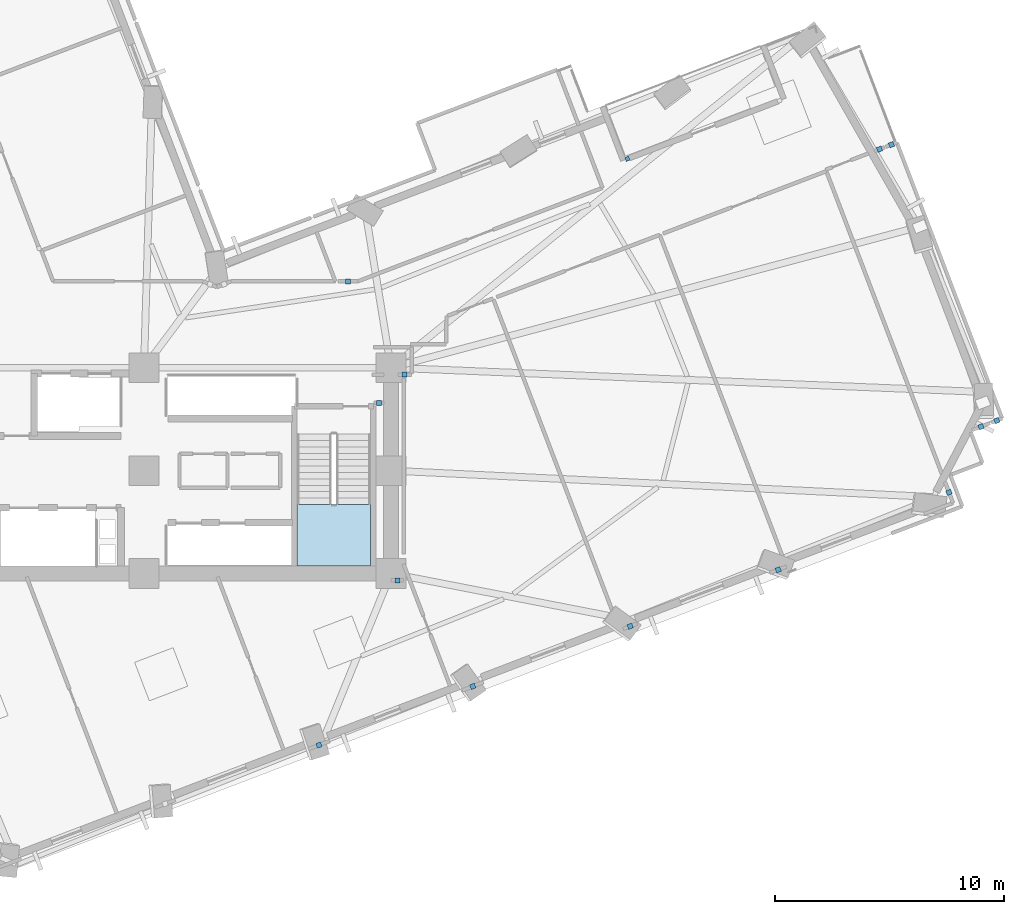
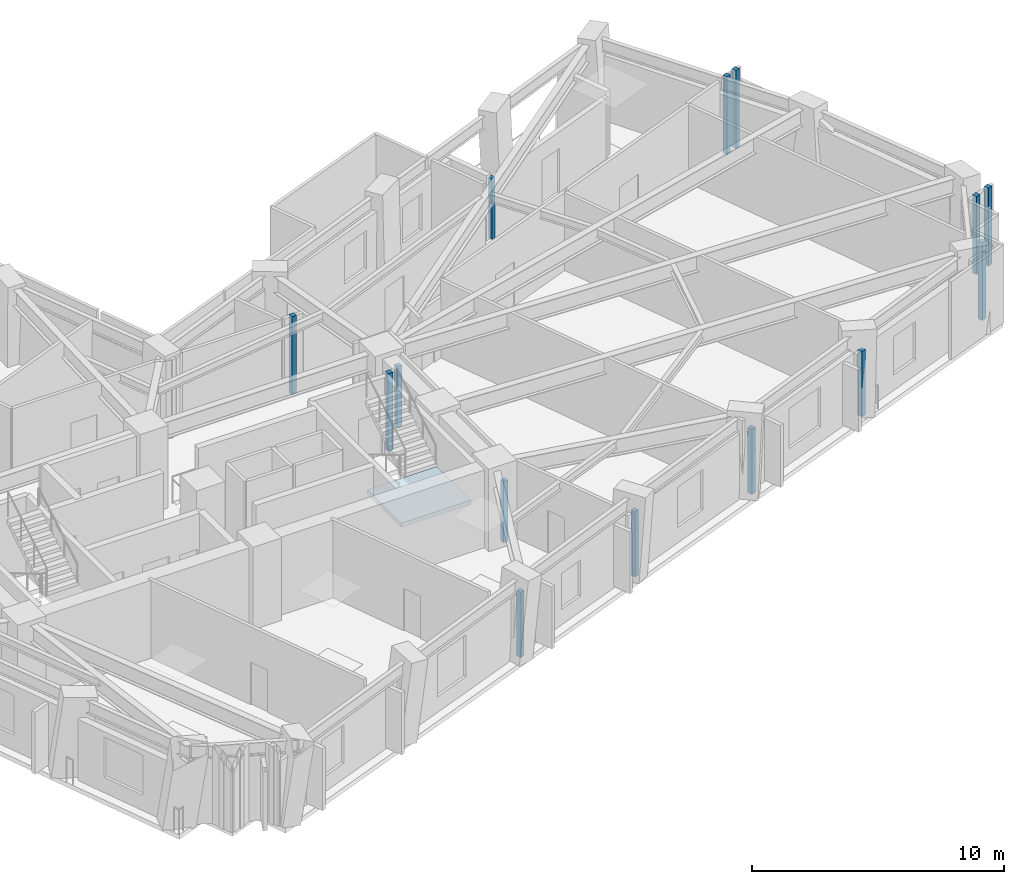
# One storey, part 5 of 15: 14 plates, 1 slab, 1 element without a shape of its own.
"""IFC4 building model written with IfcOpenShell, lengths in metres."""

from ifc_helpers import new_model, si_unit, direction, frame, origin, origin_2d, place, context, subcontext, project, spatial, polyline, rectangle, outline, extrude, material, layer, layer_set, type_object, element, aggregate, save


model = new_model("IFC4")

# Units and contexts
model_context = context("Model", 3, precision=1e-05, world=origin(), true_north=direction((0.0, 1.0)))
body_context = subcontext(model_context, "Body", "Model", "MODEL_VIEW")
ifc_project = project(units=[si_unit("LENGTHUNIT", "METRE"), si_unit("AREAUNIT", "SQUARE_METRE"), si_unit("VOLUMEUNIT", "CUBIC_METRE"), si_unit("PLANEANGLEUNIT", "RADIAN"), si_unit("MASSUNIT", "GRAM", prefix="KILO")], contexts=[model_context])

# Site, building, storey
site_placement = place(None, origin())
site = spatial("IfcSite", under=ifc_project, at=site_placement, CompositionType="ELEMENT")
building_placement = place(site_placement, origin())
building = spatial("IfcBuilding", under=site, at=building_placement, Name="Gaonmaruhae Medical Tower", CompositionType="ELEMENT")
storey_placement = place(building_placement, frame((0.0, 0.0, 112.39990234375)))
storey = spatial("IfcBuildingStorey", under=building, at=storey_placement, Name="L26", CompositionType="ELEMENT", Elevation=112.39990234375)

# Plates
ifc_material_1 = material(Name="Anodised aluminium 6063-T6", Category="aluminium")
ifc_layer_1 = layer(ifc_material_1, 0.011962890625)
ifc_layer_set_1 = layer_set([ifc_layer_1], Name="Anodised aluminium 6063-T6")
plate_type = type_object("IfcPlateType", Name="PP-01 Interior Partition Corner Stiffener Plate", PredefinedType="SHEET", material=ifc_layer_set_1)
plate_1_placement = place(storey_placement, frame((45.940185546875, 25.93701171875, 0.0), z_axis=(0.0, 0.0, 1.0), x_axis=(0.934204474321, 0.35673799932, 0.0)))
element("IfcPlate", 1, at=plate_1_placement, inside=storey, type_object=plate_type, Name="L26 Partition End Jamb Post Plate PLT-L26-ENDP-TERB-0", PredefinedType="SHEET", context=body_context, shape_type="SweptSolid", body=[
    extrude(rectangle(XDim=0.179931640625, YDim=0.179931640625, at=origin_2d()), origin(), (0.0, 0.0, 1.0), 2.945068359375),
])
plate_2_placement = place(storey_placement, frame((32.450439453125, 0.298095703125, 0.0), z_axis=(0.0, 0.0, 1.0), x_axis=(-0.933998853044, -0.357276003271, 0.0)))
element("IfcPlate", 2, at=plate_2_placement, inside=storey, type_object=plate_type, Name="L26 Partition Corner Stiffener Plate PLT-L26-JGP-PW018", PredefinedType="SHEET", context=body_context, shape_type="SweptSolid", body=[
    extrude(rectangle(XDim=0.219970703125, YDim=0.219970703125, at=origin_2d()), origin(), (0.0, 0.0, 1.0), 3.1650390625),
])
for number, where, z_axis, x_axis, name in (
    (3, (35.875, 7.5, 0.0), (0.0, 0.0, 1.0), (1.0, 0.0, 0.0), "L26 Partition Corner Stiffener Plate PLT-L26-JGP-PW019"),
    (4, (36.199951171875, 16.5, 0.0), (0.0, 0.0, 1.0), (1.0, 0.0, 0.0), "L26 Partition Corner Stiffener Plate PLT-L26-JGP-PW021"),
):
    element("IfcPlate", number, at=place(storey_placement, frame(where, z_axis=z_axis, x_axis=x_axis)), inside=storey, type_object=plate_type, Name=name, PredefinedType="SHEET", context=body_context, shape_type="SweptSolid", body=[
        extrude(rectangle(XDim=0.219970703125, YDim=0.219970703125, at=origin_2d()), origin(), (0.0, 0.0, 1.0), 2.965087890625),
    ])
plate_3_placement = place(storey_placement, frame((39.176025390625, 2.865966796875, 0.0), z_axis=(0.0, 0.0, 1.0), x_axis=(-0.934073660269, -0.357080379174, 0.0)))
element("IfcPlate", 5, at=plate_3_placement, inside=storey, type_object=plate_type, Name="L26 Partition Corner Stiffener Plate PLT-L26-JGP-PW028", PredefinedType="SHEET", context=body_context, shape_type="SweptSolid", body=[
    extrude(rectangle(XDim=0.219970703125, YDim=0.219970703125, at=origin_2d()), origin(), (0.0, 0.0, 1.0), 3.1650390625),
])
plate_4_placement = place(storey_placement, frame((35.074951171875, 15.260009765625, 0.0), z_axis=(0.0, 0.0, 1.0), x_axis=(-1.0, 0.0, 0.0)))
element("IfcPlate", 6, at=plate_4_placement, inside=storey, type_object=plate_type, Name="L26 Partition Corner Stiffener Plate PLT-L26-JGP-PW030", PredefinedType="SHEET", context=body_context, shape_type="SweptSolid", body=[
    extrude(rectangle(XDim=0.219970703125, YDim=0.219970703125, at=origin_2d()), origin(), (0.0, 0.0, 1.0), 3.780029296875),
])
for number, where, z_axis, x_axis, name in (
    (7, (52.531982421875, 7.966064453125, 0.0), (0.0, 0.0, 1.0), (-0.934279168863, -0.356542332169, 0.0), "L26 Partition Corner Stiffener Plate PLT-L26-JGP-PW033"),
    (8, (46.05859375, 5.494384765625, 0.0), (0.0, 0.0, 1.0), (-0.934366260698, -0.356314034061, 0.0), "L26 Partition Corner Stiffener Plate PLT-L26-JGP-PW034"),
):
    element("IfcPlate", number, at=place(storey_placement, frame(where, z_axis=z_axis, x_axis=x_axis)), inside=storey, type_object=plate_type, Name=name, PredefinedType="SHEET", context=body_context, shape_type="SweptSolid", body=[
        extrude(rectangle(XDim=0.219970703125, YDim=0.219970703125, at=origin_2d()), origin(), (0.0, 0.0, 1.0), 3.1650390625),
    ])
for number, where, z_axis, x_axis, name in (
    (9, (60.00048828125, 11.348388671875, 0.0), (0.0, 0.0, 1.0), (0.356542332169, -0.934279168863, 0.0), "L26 Partition Corner Stiffener Plate PLT-L26-JGP-PW037"),
    (10, (33.723388671875, 20.580078125, 0.0), (0.0, 0.0, 1.0), (-1.0, 0.0, 0.0), "L26 Partition Corner Stiffener Plate PLT-L26-JGP-PW078"),
    (11, (56.96240234375, 26.3564453125, 0.0), (0.0, 0.0, 1.0), (0.933992617259, 0.357292304571, 0.0), "L26 Partition Corner Stiffener Plate PLT-L26-JGP-PW100"),
    (12, (61.402099609375, 14.221923828125, 0.0), (0.0, 0.0, 1.0), (-0.934260499069, -0.356591250423, 0.0), "L26 Partition Corner Stiffener Plate PLT-L26-JGP-PW104"),
    (13, (57.485107421875, 26.555908203125, 0.0), (0.0, 0.0, 1.0), (0.933936482392, 0.35743901138, 0.0), "L26 Partition Corner Stiffener Plate PLT-L26-JGP-PW109"),
    (14, (62.093994140625, 14.486572265625, 0.0), (0.0, 0.0, 1.0), (-0.934577537177, -0.355759507257, 0.0), "L26 Partition Corner Stiffener Plate PLT-L26-JGP-PW111"),
):
    element("IfcPlate", number, at=place(storey_placement, frame(where, z_axis=z_axis, x_axis=x_axis)), inside=storey, type_object=plate_type, Name=name, PredefinedType="SHEET", context=body_context, shape_type="SweptSolid", body=[
        extrude(rectangle(XDim=0.219970703125, YDim=0.219970703125, at=origin_2d()), origin(), (0.0, 0.0, 1.0), 3.780029296875),
    ])

# Stair, slab
ifc_material_2 = material(Name="Concrete C40/50", Category="concrete")
stair_type = type_object("IfcStairType", Name="ST-T1 Primary Core Escape Dogleg Stair", PredefinedType="TWO_QUARTER_TURN_STAIR", material=ifc_material_2)
stair_placement = place(storey_placement, origin())
stair = element("IfcStair", 15, at=stair_placement, inside=storey, type_object=stair_type, Name="L26 Protected Escape Stair ST-02", PredefinedType="TWO_QUARTER_TURN_STAIR")
ifc_layer_2 = layer(ifc_material_2, 0.199951171875)
ifc_layer_set_2 = layer_set([ifc_layer_2], Name="Concrete C40/50")
slab_type = type_object("IfcSlabType", Name="SL-200 Stair & Ramp Intermediate Concrete Landing", PredefinedType="LANDING", material=ifc_layer_set_2)
slab_placement = place(storey_placement, frame((0.0, 0.0, 1.800048828125)))
slab = element("IfcSlab", 16, at=slab_placement, type_object=slab_type, Name="ST-02 landing 1", PredefinedType="LANDING", context=body_context, shape_type="SweptSolid", body=[
    extrude(outline(polyline([(31.5, 10.820068359375), (31.5, 8.12890625), (34.699951171875, 8.12890625), (34.699951171875, 10.820068359375), (31.5, 10.820068359375)])), origin(), (0.0, 0.0, 1.0), 0.199951171875),
])
aggregate(stair, [slab])

save(model, "model.ifc")
